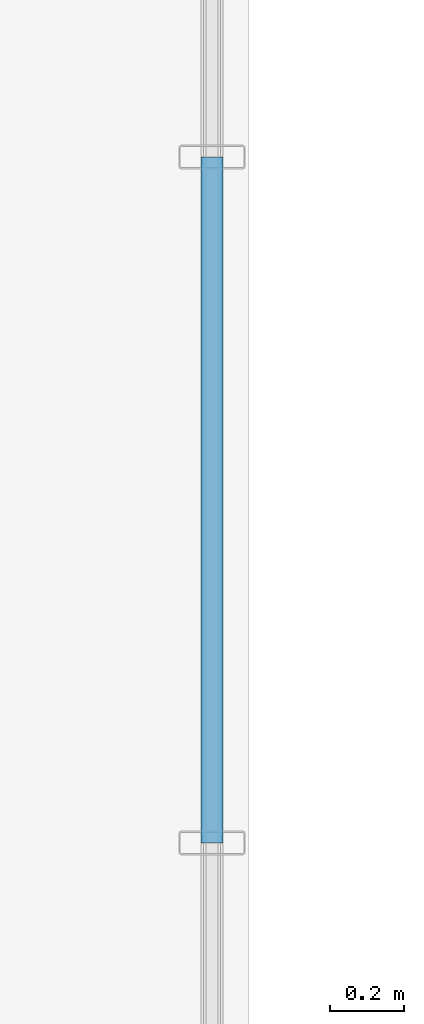
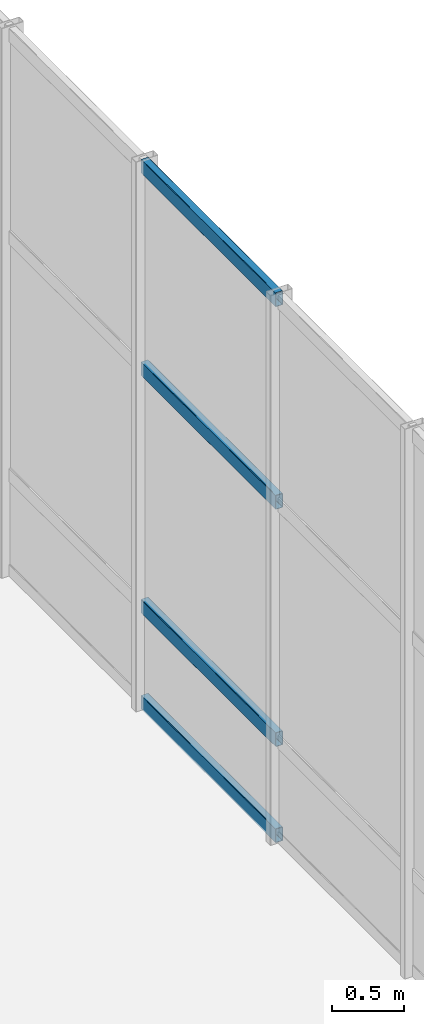
# One storey, part 59 of 176: 4 members, 1 element without a shape of its own.
"""IFC4 building model written with IfcOpenShell, lengths in metres."""

from ifc_helpers import new_model, si_unit, direction, frame, origin, origin_2d, place, context, subcontext, project, spatial, hollow_rectangle, extrude, material, layer, layer_set, material_profile, profile_set, type_object, element, aggregate, save


model = new_model("IFC4")

# Units and contexts
model_context = context("Model", 3, precision=1e-05, world=origin(), true_north=direction((0.0, 1.0)))
body_context = subcontext(model_context, "Body", "Model", "MODEL_VIEW")
ifc_project = project(units=[si_unit("LENGTHUNIT", "METRE"), si_unit("AREAUNIT", "SQUARE_METRE"), si_unit("VOLUMEUNIT", "CUBIC_METRE"), si_unit("PLANEANGLEUNIT", "RADIAN"), si_unit("MASSUNIT", "GRAM", prefix="KILO")], contexts=[model_context])

# Site, building, storey
site_placement = place(None, origin())
site = spatial("IfcSite", under=ifc_project, at=site_placement, CompositionType="ELEMENT")
building_placement = place(site_placement, origin())
building = spatial("IfcBuilding", under=site, at=building_placement, Name="Khorjan Park Terminus", CompositionType="ELEMENT")
storey_placement = place(building_placement, frame((0.0, 0.0, 6.0)))
storey = spatial("IfcBuildingStorey", under=building, at=storey_placement, Name="L01", CompositionType="ELEMENT", Elevation=6.0)

# Curtain wall, members
ifc_material = material(Name="Anodized Bronze Aluminium", Category="aluminium")
ifc_layer = layer(ifc_material, 0.22)
ifc_layer_set = layer_set([ifc_layer], Name="Anodized Bronze Aluminium")
curtain_wall_type = type_object("IfcCurtainWallType", Name="CW-BRG-D", PredefinedType="NOTDEFINED", material=ifc_layer_set)
curtain_wall_placement = place(storey_placement, origin())
curtain_wall = element("IfcCurtainWall", 1, at=curtain_wall_placement, inside=storey, type_object=curtain_wall_type, Name="Unitized curtain wall CW-D (CW-BRW-E-2)", PredefinedType="NOTDEFINED")
ifc_material_profile = material_profile(ifc_material, hollow_rectangle(XDim=0.06, YDim=0.12, WallThickness=0.004, InnerFilletRadius=0.004, OuterFilletRadius=0.008, at=origin_2d()), Name="ALT 60x120x4")
ifc_profile_set = profile_set([ifc_material_profile], Name="Anodized Bronze Aluminium")
member_type = type_object("IfcMemberType", Name="TR-ALT-120", PredefinedType="USERDEFINED", material=ifc_profile_set)
member_1_placement = place(storey_placement, frame((85.9, 116.8571, 0.04), z_axis=(0.0, 1.0, 0.0), x_axis=(-1.0, 0.0, 0.0)))
member_1 = element("IfcMember", 2, at=member_1_placement, type_object=member_type, Name="Curtain-wall transom TR-12 (CW-BRW-E-2-1-1)", ObjectType="TRANSOM", PredefinedType="USERDEFINED", context=body_context, shape_type="SweptSolid", body=[
    extrude(hollow_rectangle(XDim=0.06, YDim=0.12, WallThickness=0.004, InnerFilletRadius=0.004, OuterFilletRadius=0.008, at=origin_2d()), origin(), (0.0, 0.0, 1.0), 1.8572),
])
member_2_placement = place(storey_placement, frame((85.9, 116.8571, 0.85), z_axis=(0.0, 1.0, 0.0), x_axis=(-1.0, 0.0, 0.0)))
member_2 = element("IfcMember", 3, at=member_2_placement, type_object=member_type, Name="Curtain-wall transom TR-12 (CW-BRW-E-2-1-2)", ObjectType="TRANSOM", PredefinedType="USERDEFINED", context=body_context, shape_type="SweptSolid", body=[
    extrude(hollow_rectangle(XDim=0.06, YDim=0.12, WallThickness=0.004, InnerFilletRadius=0.004, OuterFilletRadius=0.008, at=origin_2d()), origin(), (0.0, 0.0, 1.0), 1.8572),
])
member_3_placement = place(storey_placement, frame((85.9, 116.8571, 2.852), z_axis=(0.0, 1.0, 0.0), x_axis=(-1.0, 0.0, 0.0)))
member_3 = element("IfcMember", 4, at=member_3_placement, type_object=member_type, Name="Curtain-wall transom TR-12 (CW-BRW-E-2-1-3)", ObjectType="TRANSOM", PredefinedType="USERDEFINED", context=body_context, shape_type="SweptSolid", body=[
    extrude(hollow_rectangle(XDim=0.06, YDim=0.12, WallThickness=0.004, InnerFilletRadius=0.004, OuterFilletRadius=0.008, at=origin_2d()), origin(), (0.0, 0.0, 1.0), 1.8572),
])
member_4_placement = place(storey_placement, frame((85.9, 116.8571, 4.56), z_axis=(0.0, 1.0, 0.0), x_axis=(-1.0, 0.0, 0.0)))
member_4 = element("IfcMember", 5, at=member_4_placement, type_object=member_type, Name="Curtain-wall transom TR-12 (CW-BRW-E-2-1-4)", ObjectType="TRANSOM", PredefinedType="USERDEFINED", context=body_context, shape_type="SweptSolid", body=[
    extrude(hollow_rectangle(XDim=0.06, YDim=0.12, WallThickness=0.004, InnerFilletRadius=0.004, OuterFilletRadius=0.008, at=origin_2d()), origin(), (0.0, 0.0, 1.0), 1.8572),
])
aggregate(curtain_wall, [member_1, member_2, member_3, member_4])

save(model, "model.ifc")
